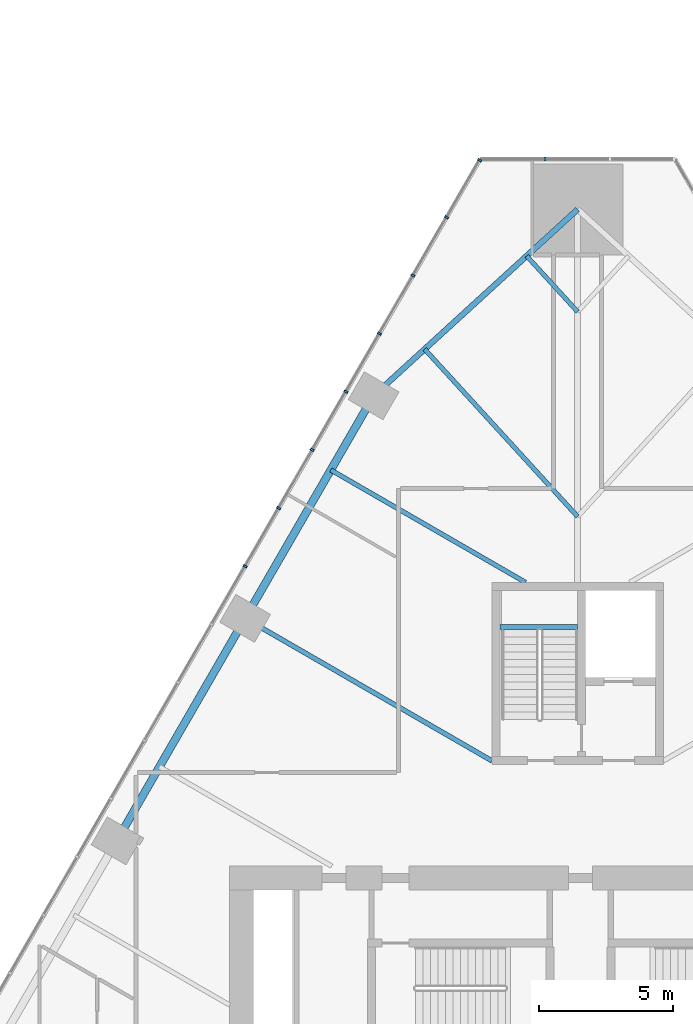
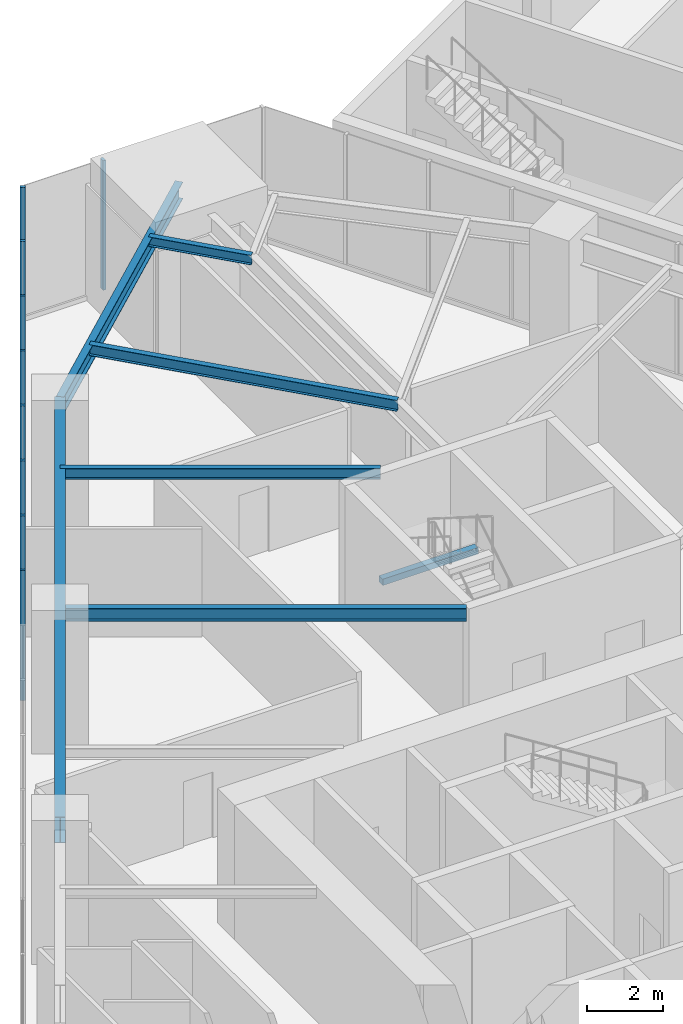
# One storey, part 11 of 29: 9 members, 7 beams, 2 elements without a shape of their own.
"""IFC4 building model written with IfcOpenShell, lengths in metres."""

from ifc_helpers import new_model, si_unit, direction, frame, origin, origin_2d, place, context, subcontext, project, spatial, rectangle, i_section, extrude, material, layer, layer_set, material_profile, profile_set, type_object, element, aggregate, save


model = new_model("IFC4")

# Units and contexts
model_context = context("Model", 3, precision=1e-05, world=origin(), true_north=direction((0.0, 1.0)))
body_context = subcontext(model_context, "Body", "Model", "MODEL_VIEW")
ifc_project = project(units=[si_unit("LENGTHUNIT", "METRE"), si_unit("AREAUNIT", "SQUARE_METRE"), si_unit("VOLUMEUNIT", "CUBIC_METRE"), si_unit("PLANEANGLEUNIT", "RADIAN"), si_unit("MASSUNIT", "GRAM", prefix="KILO")], contexts=[model_context])

# Site, building, storey
site_placement = place(None, origin())
site = spatial("IfcSite", under=ifc_project, at=site_placement, CompositionType="ELEMENT")
building_placement = place(site_placement, origin())
building = spatial("IfcBuilding", under=site, at=building_placement, Name="Firuza Gate Tower and Library", CompositionType="ELEMENT")
storey_placement = place(building_placement, frame((0.0, 0.0, 17.199951171875)))
storey = spatial("IfcBuildingStorey", under=building, at=storey_placement, Name="L03", CompositionType="ELEMENT", Elevation=17.199951171875)

# Curtain wall, member
ifc_material_1 = material(Name="Aluminium 6063-T6", Category="aluminium")
ifc_layer = layer(ifc_material_1, 0.14990234375)
ifc_layer_set = layer_set([ifc_layer], Name="Stick curtain wall, podium")
curtain_wall_type = type_object("IfcCurtainWallType", Name="Stick curtain wall, podium", PredefinedType="NOTDEFINED", material=ifc_layer_set)
placement = place(storey_placement, origin())
curtain_wall_1 = element("IfcCurtainWall", 1, at=placement, inside=storey, type_object=curtain_wall_type, Name="CW5 L03 N", PredefinedType="NOTDEFINED")
ifc_material_2 = material(Name="Aluminium 6063-T6", Category="aluminium")
ifc_material_profile_1 = material_profile(ifc_material_2, rectangle(XDim=0.14990234375, YDim=0.080078125, at=origin_2d()))
ifc_profile_set_1 = profile_set([ifc_material_profile_1], Name="Aluminium 6063-T6")
member_type = type_object("IfcMemberType", Name="Curtain wall mullion 80x150", PredefinedType="MULLION", material=ifc_profile_set_1)
member_1_placement = place(storey_placement, frame((73.78564453125, 110.408935546875, 0.150146484375), z_axis=(0.0, 0.0, 1.0), x_axis=(0.0, -1.0, 0.0)))
member_1 = element("IfcMember", 2, at=member_1_placement, type_object=member_type, Name="Mullion", PredefinedType="MULLION", context=body_context, shape_type="SweptSolid", body=[
    extrude(rectangle(XDim=0.14990234375, YDim=0.080078125, at=origin_2d()), origin(), (0.0, 0.0, 1.0), 4.14990234375),
])
aggregate(curtain_wall_1, [member_1])

# Curtain wall, members
curtain_wall_2 = element("IfcCurtainWall", 3, at=placement, inside=storey, type_object=curtain_wall_type, Name="CW5 L03 W", PredefinedType="NOTDEFINED")
member_2_placement = place(storey_placement, frame((71.336669921875, 110.374267578125, 0.150146484375), z_axis=(0.0, 0.0, 1.0), x_axis=(0.866025403784, -0.5, 0.0)))
member_2 = element("IfcMember", 4, at=member_2_placement, type_object=member_type, Name="Mullion", PredefinedType="MULLION", context=body_context, shape_type="SweptSolid", body=[
    extrude(rectangle(XDim=0.14990234375, YDim=0.080078125, at=origin_2d()), origin(), (0.0, 0.0, 1.0), 4.14990234375),
])
member_3_placement = place(storey_placement, frame((70.1025390625, 108.23681640625, 0.150146484375), z_axis=(0.0, 0.0, 1.0), x_axis=(0.866025403784, -0.5, 0.0)))
member_3 = element("IfcMember", 5, at=member_3_placement, type_object=member_type, Name="Mullion", PredefinedType="MULLION", context=body_context, shape_type="SweptSolid", body=[
    extrude(rectangle(XDim=0.14990234375, YDim=0.080078125, at=origin_2d()), origin(), (0.0, 0.0, 1.0), 4.14990234375),
])
member_4_placement = place(storey_placement, frame((68.8486328125, 106.064697265625, 0.150146484375), z_axis=(0.0, 0.0, 1.0), x_axis=(0.866025403784, -0.5, 0.0)))
member_4 = element("IfcMember", 6, at=member_4_placement, type_object=member_type, Name="Mullion", PredefinedType="MULLION", context=body_context, shape_type="SweptSolid", body=[
    extrude(rectangle(XDim=0.14990234375, YDim=0.080078125, at=origin_2d()), origin(), (0.0, 0.0, 1.0), 4.14990234375),
])
member_5_placement = place(storey_placement, frame((67.594482421875, 103.892578125, 0.150146484375), z_axis=(0.0, 0.0, 1.0), x_axis=(0.866025403784, -0.5, 0.0)))
member_5 = element("IfcMember", 7, at=member_5_placement, type_object=member_type, Name="Mullion", PredefinedType="MULLION", context=body_context, shape_type="SweptSolid", body=[
    extrude(rectangle(XDim=0.14990234375, YDim=0.080078125, at=origin_2d()), origin(), (0.0, 0.0, 1.0), 4.14990234375),
])
member_6_placement = place(storey_placement, frame((66.340576171875, 101.720458984375, 0.150146484375), z_axis=(0.0, 0.0, 1.0), x_axis=(0.866025403784, -0.5, 0.0)))
member_6 = element("IfcMember", 8, at=member_6_placement, type_object=member_type, Name="Mullion", PredefinedType="MULLION", context=body_context, shape_type="SweptSolid", body=[
    extrude(rectangle(XDim=0.14990234375, YDim=0.080078125, at=origin_2d()), origin(), (0.0, 0.0, 1.0), 4.14990234375),
])
member_7_placement = place(storey_placement, frame((65.08642578125, 99.54833984375, 0.150146484375), z_axis=(0.0, 0.0, 1.0), x_axis=(0.866025403784, -0.5, 0.0)))
member_7 = element("IfcMember", 9, at=member_7_placement, type_object=member_type, Name="Mullion", PredefinedType="MULLION", context=body_context, shape_type="SweptSolid", body=[
    extrude(rectangle(XDim=0.14990234375, YDim=0.080078125, at=origin_2d()), origin(), (0.0, 0.0, 1.0), 4.14990234375),
])
member_8_placement = place(storey_placement, frame((63.832275390625, 97.376220703125, 0.150146484375), z_axis=(0.0, 0.0, 1.0), x_axis=(0.866025403784, -0.5, 0.0)))
member_8 = element("IfcMember", 10, at=member_8_placement, type_object=member_type, Name="Mullion", PredefinedType="MULLION", context=body_context, shape_type="SweptSolid", body=[
    extrude(rectangle(XDim=0.14990234375, YDim=0.080078125, at=origin_2d()), origin(), (0.0, 0.0, 1.0), 4.14990234375),
])
member_9_placement = place(storey_placement, frame((62.578369140625, 95.2041015625, 0.150146484375), z_axis=(0.0, 0.0, 1.0), x_axis=(0.866025403784, -0.5, 0.0)))
member_9 = element("IfcMember", 11, at=member_9_placement, type_object=member_type, Name="Mullion", PredefinedType="MULLION", context=body_context, shape_type="SweptSolid", body=[
    extrude(rectangle(XDim=0.14990234375, YDim=0.080078125, at=origin_2d()), origin(), (0.0, 0.0, 1.0), 4.14990234375),
])
aggregate(curtain_wall_2, [member_2, member_3, member_4, member_5, member_6, member_7, member_8, member_9])

# Beams
ifc_material_3 = material(Name="Concrete C35/45", Category="concrete")
ifc_material_profile_2 = material_profile(ifc_material_3, rectangle(XDim=0.199951171875, YDim=0.199951171875, at=origin_2d()))
ifc_profile_set_2 = profile_set([ifc_material_profile_2], Name="Concrete C35/45")
beam_type_1 = type_object("IfcBeamType", Name="Stair landing bearer 200x200", PredefinedType="BEAM", material=ifc_profile_set_2)
beam_1_placement = place(storey_placement, frame((75.0, 92.929931640625, 2.0), z_axis=(-1.0, 0.0, 0.0), x_axis=(0.0, -1.0, 0.0)))
element("IfcBeam", 12, at=beam_1_placement, inside=storey, type_object=beam_type_1, Name="Landing bearer L03 stair 3", PredefinedType="BEAM", context=body_context, shape_type="SweptSolid", body=[
    extrude(rectangle(XDim=0.199951171875, YDim=0.199951171875, at=origin_2d()), origin(), (0.0, 0.0, 1.0), 2.89990234375),
])
ifc_material_4 = material(Name="Steel S355", Category="steel")
ifc_material_profile_3 = material_profile(ifc_material_4, i_section(OverallWidth=0.1650390625, OverallDepth=0.31005859375, WebThickness=0.005859375, FlangeThickness=0.009765625, at=origin_2d()))
ifc_profile_set_3 = profile_set([ifc_material_profile_3], Name="Steel S355")
beam_type_2 = type_object("IfcBeamType", Name="W310x39 Floor beam", PredefinedType="JOIST", material=ifc_profile_set_3)
beam_2_placement = place(storey_placement, frame((73.094970703125, 106.79296875, 4.14501953125), z_axis=(0.674533736892, -0.738244023203, 0.0), x_axis=(0.738244023203, 0.674533736892, 0.0)))
element("IfcBeam", 13, at=beam_2_placement, inside=storey, type_object=beam_type_2, Name="Floor beam L03 s90", PredefinedType="JOIST", context=body_context, shape_type="SweptSolid", body=[
    extrude(i_section(OverallWidth=0.1650390625, OverallDepth=0.31005859375, WebThickness=0.005859375, FlangeThickness=0.009765625, at=origin_2d()), origin(), (0.0, 0.0, 1.0), 2.82421875),
])
ifc_material_5 = material(Name="Steel S355", Category="steel")
ifc_material_profile_4 = material_profile(ifc_material_5, i_section(OverallWidth=0.1708984375, OverallDepth=0.35498046875, WebThickness=0.007080078125, FlangeThickness=0.01171875, at=origin_2d()))
ifc_profile_set_4 = profile_set([ifc_material_profile_4], Name="Steel S355")
beam_type_3 = type_object("IfcBeamType", Name="W360x51 Floor beam", PredefinedType="JOIST", material=ifc_profile_set_4)
beam_3_placement = place(storey_placement, frame((69.28466796875, 103.31103515625, 4.12255859375), z_axis=(0.674578139258, -0.7382034503, 0.0), x_axis=(0.7382034503, 0.674578139258, 0.0)))
element("IfcBeam", 14, at=beam_3_placement, inside=storey, type_object=beam_type_3, Name="Floor beam L03 s91", PredefinedType="JOIST", context=body_context, shape_type="SweptSolid", body=[
    extrude(i_section(OverallWidth=0.1708984375, OverallDepth=0.35498046875, WebThickness=0.007080078125, FlangeThickness=0.01171875, at=origin_2d()), origin(), (0.0, 0.0, 1.0), 8.472412109375),
])
beam_4_placement = place(storey_placement, frame((65.779541015625, 98.798828125, 4.12255859375), z_axis=(0.866019517829, -0.500010194636, 0.0), x_axis=(0.500010194636, 0.866019517829, 0.0)))
element("IfcBeam", 15, at=beam_4_placement, inside=storey, type_object=beam_type_3, Name="Floor beam L03 s100", PredefinedType="JOIST", context=body_context, shape_type="SweptSolid", body=[
    extrude(i_section(OverallWidth=0.1708984375, OverallDepth=0.35498046875, WebThickness=0.007080078125, FlangeThickness=0.01171875, at=origin_2d()), origin(), (0.0, 0.0, 1.0), 8.397216796875),
])
ifc_material_6 = material(Name="Steel S355", Category="steel")
ifc_material_profile_5 = material_profile(ifc_material_6, i_section(OverallWidth=0.177978515625, OverallDepth=0.406982421875, WebThickness=0.0078125, FlangeThickness=0.0126953125, at=origin_2d()))
ifc_profile_set_5 = profile_set([ifc_material_profile_5], Name="Steel S355")
beam_type_4 = type_object("IfcBeamType", Name="W410x60 Floor beam", PredefinedType="JOIST", material=ifc_profile_set_5)
beam_5_placement = place(storey_placement, frame((62.579345703125, 93.256103515625, 4.096435546875), z_axis=(0.866029027547, -0.499993723407, 0.0), x_axis=(0.499993723407, 0.866029027547, 0.0)))
element("IfcBeam", 16, at=beam_5_placement, inside=storey, type_object=beam_type_4, Name="Floor beam L03 s101", PredefinedType="JOIST", context=body_context, shape_type="SweptSolid", body=[
    extrude(i_section(OverallWidth=0.177978515625, OverallDepth=0.406982421875, WebThickness=0.0078125, FlangeThickness=0.0126953125, at=origin_2d()), origin(), (0.0, 0.0, 1.0), 10.647216796875),
])
ifc_material_7 = material(Name="Steel S355", Category="steel")
ifc_material_profile_6 = material_profile(ifc_material_7, i_section(OverallWidth=0.212890625, OverallDepth=0.5390625, WebThickness=0.01171875, FlangeThickness=0.018798828125, at=origin_2d()))
ifc_profile_set_6 = profile_set([ifc_material_profile_6], Name="Steel S355")
beam_type_5 = type_object("IfcBeamType", Name="W530x109 Edge beam", PredefinedType="SPANDREL", material=ifc_profile_set_6)
beam_6_placement = place(storey_placement, frame((75.0, 108.533935546875, 4.030517578125), z_axis=(-0.738199730284, -0.674582210118, 0.0), x_axis=(0.674582210118, -0.738199730284, 0.0)))
element("IfcBeam", 17, at=beam_6_placement, inside=storey, type_object=beam_type_5, Name="Edge beam L03 e90", PredefinedType="SPANDREL", context=body_context, shape_type="SweptSolid", body=[
    extrude(i_section(OverallWidth=0.212890625, OverallDepth=0.5390625, WebThickness=0.01171875, FlangeThickness=0.018798828125, at=origin_2d()), origin(), (0.0, 0.0, 1.0), 10.3232421875),
])
ifc_material_8 = material(Name="Steel S355", Category="steel")
ifc_material_profile_7 = material_profile(ifc_material_8, i_section(OverallWidth=0.2919921875, OverallDepth=0.8349609375, WebThickness=0.013916015625, FlangeThickness=0.018798828125, at=origin_2d()))
ifc_profile_set_7 = profile_set([ifc_material_profile_7], Name="Steel S355")
beam_type_6 = type_object("IfcBeamType", Name="W840x176 Edge beam", PredefinedType="SPANDREL", material=ifc_profile_set_7)
beam_7_placement = place(storey_placement, frame((67.37939453125, 101.570068359375, 3.882568359375), z_axis=(-0.499994327668, -0.866028678682, 0.0), x_axis=(0.866028678682, -0.499994327668, 0.0)))
element("IfcBeam", 18, at=beam_7_placement, inside=storey, type_object=beam_type_6, Name="Edge beam L03 e100", PredefinedType="SPANDREL", context=body_context, shape_type="SweptSolid", body=[
    extrude(i_section(OverallWidth=0.2919921875, OverallDepth=0.8349609375, WebThickness=0.013916015625, FlangeThickness=0.018798828125, at=origin_2d()), origin(), (0.0, 0.0, 1.0), 19.199951171875),
])

save(model, "model.ifc")
